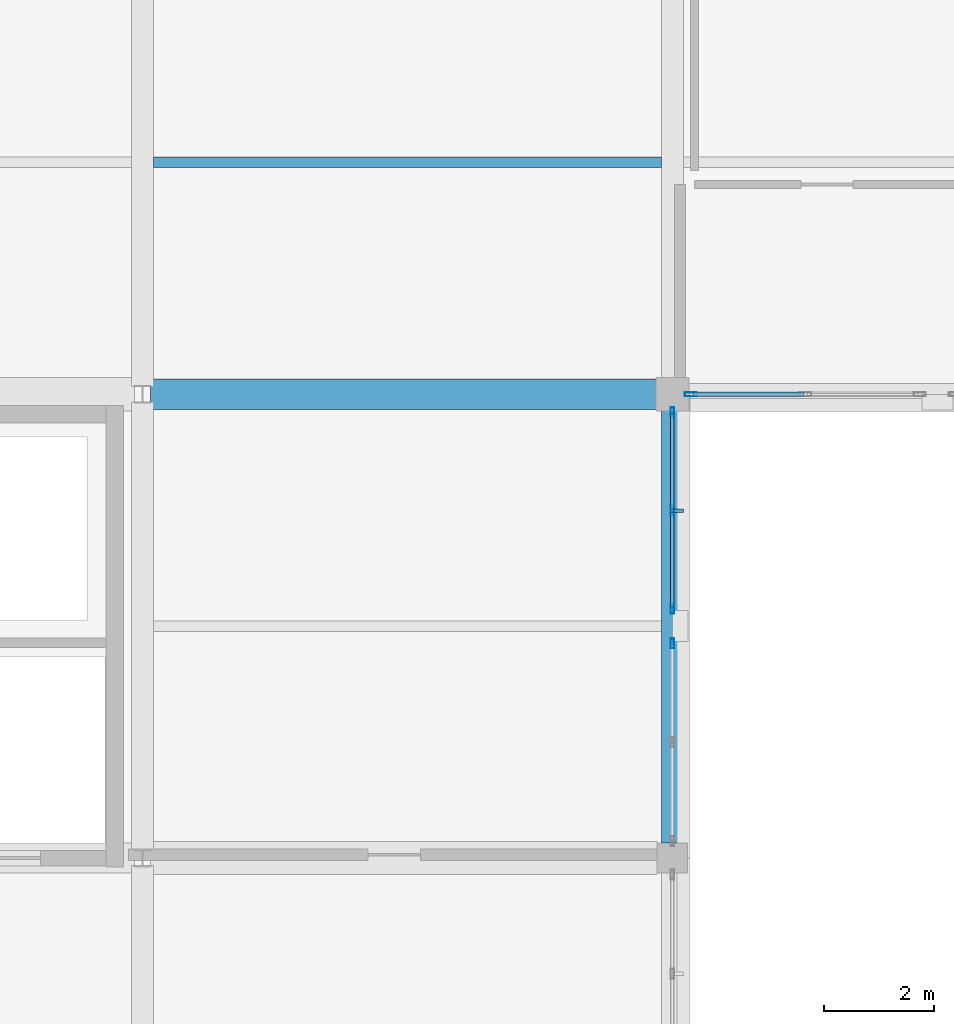
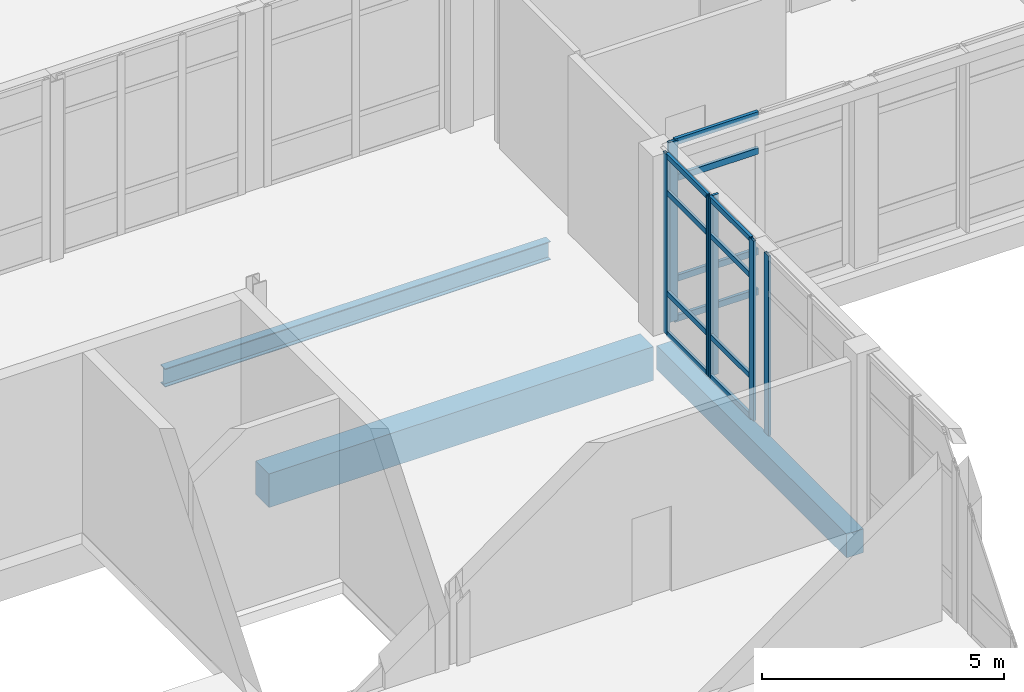
# One storey, part 17 of 88: 18 members, 3 beams, 3 elements without a shape of their own.
"""IFC4 building model written with IfcOpenShell, lengths in metres."""

from ifc_helpers import new_model, si_unit, direction, frame, origin, origin_2d, place, context, subcontext, project, spatial, rectangle, hollow_rectangle, i_section, extrude, material, layer, layer_set, material_profile, profile_set, type_object, element, aggregate, save


model = new_model("IFC4")

# Units and contexts
model_context = context("Model", 3, precision=1e-05, world=origin(), true_north=direction((0.0, 1.0)))
body_context = subcontext(model_context, "Body", "Model", "MODEL_VIEW")
ifc_project = project(units=[si_unit("LENGTHUNIT", "METRE"), si_unit("AREAUNIT", "SQUARE_METRE"), si_unit("VOLUMEUNIT", "CUBIC_METRE"), si_unit("PLANEANGLEUNIT", "RADIAN"), si_unit("MASSUNIT", "GRAM", prefix="KILO")], contexts=[model_context])

# Site, building, storey
site_placement = place(None, origin())
site = spatial("IfcSite", under=ifc_project, at=site_placement, CompositionType="ELEMENT")
building_placement = place(site_placement, origin())
building = spatial("IfcBuilding", under=site, at=building_placement, Name="Lornevale Opera House", CompositionType="ELEMENT")
storey_placement = place(building_placement, frame((0.0, 0.0, 10.199951171875)))
storey = spatial("IfcBuildingStorey", under=building, at=storey_placement, Name="L03", CompositionType="ELEMENT", Elevation=10.199951171875)

# Beams
ifc_material_1 = material(Name="Concrete 35 MPa (CSA A23.1 N)", Category="concrete")
ifc_material_profile_1 = material_profile(ifc_material_1, rectangle(XDim=0.550048828125, YDim=0.85009765625, at=origin_2d()), Name="RC550x850")
ifc_profile_set_1 = profile_set([ifc_material_profile_1], Name="Concrete 35 MPa (CSA A23.1 N)")
beam_type_1 = type_object("IfcBeamType", Name="Concrete Primary Girder 550x850", PredefinedType="USERDEFINED", material=ifc_profile_set_1)
beam_1_placement = place(storey_placement, frame((28.947021484375, 16.800048828125, -0.704833984375), z_axis=(1.0, 0.0, 0.0), x_axis=(0.0, 1.0, 0.0)))
element("IfcBeam", 1, at=beam_1_placement, inside=storey, type_object=beam_type_1, Name="Concrete Primary Girder 550x850 2094", ObjectType="GIRDER", PredefinedType="USERDEFINED", context=body_context, shape_type="SweptSolid", body=[
    extrude(rectangle(XDim=0.550048828125, YDim=0.85009765625, at=origin_2d()), origin(), (0.0, 0.0, 1.0), 9.177978515625),
])
ifc_material_profile_2 = material_profile(ifc_material_1, rectangle(XDim=0.39990234375, YDim=0.60009765625, at=origin_2d()), Name="RC400x600")
ifc_profile_set_2 = profile_set([ifc_material_profile_2], Name="Concrete 35 MPa (CSA A23.1 N)")
beam_type_2 = type_object("IfcBeamType", Name="Concrete Spandrel Beam 400x600", PredefinedType="SPANDREL", material=ifc_profile_set_2)
beam_2_placement = place(storey_placement, frame((38.39990234375, 8.675048828125, -0.579833984375), z_axis=(0.0, 1.0, 0.0), x_axis=(-1.0, 0.0, 0.0)))
element("IfcBeam", 2, at=beam_2_placement, inside=storey, type_object=beam_type_2, Name="Concrete Spandrel Beam 400x600 2258", PredefinedType="SPANDREL", context=body_context, shape_type="SweptSolid", body=[
    extrude(rectangle(XDim=0.39990234375, YDim=0.60009765625, at=origin_2d()), origin(), (0.0, 0.0, 1.0), 7.849853515625),
])

# Curtain wall, members
ifc_material_2 = material(Name="Anodized Oxide-Green Aluminium Framing", Category="aluminium")
ifc_layer_1 = layer(ifc_material_2, 0.175048828125)
ifc_layer_set_1 = layer_set([ifc_layer_1], Name="Anodized Oxide-Green Aluminium Framing")
curtain_wall_type_1 = type_object("IfcCurtainWallType", Name="Chamber Cloister Curtain Wall M1700", PredefinedType="NOTDEFINED", material=ifc_layer_set_1)
curtain_wall_1_placement = place(storey_placement, origin())
curtain_wall_1 = element("IfcCurtainWall", 3, at=curtain_wall_1_placement, inside=storey, type_object=curtain_wall_type_1, Name="Chamber Cloister Curtain Wall M1700 CW-120", PredefinedType="NOTDEFINED")
ifc_material_profile_3 = material_profile(ifc_material_2, hollow_rectangle(XDim=0.06494140625, YDim=0.179931640625, WallThickness=0.0048828125, at=origin_2d()), Name="ALU65x180x5")
ifc_profile_set_3 = profile_set([ifc_material_profile_3], Name="Anodized Oxide-Green Aluminium Framing")
member_type_1 = type_object("IfcMemberType", Name="Curtain Wall Mullion 65x180", PredefinedType="MULLION", material=ifc_profile_set_3)
member_1_placement = place(storey_placement, frame((38.39990234375, 16.471435546875, 0.0), z_axis=(0.0, 0.0, 1.0), x_axis=(1.0, 0.0, 0.0)))
member_1 = element("IfcMember", 4, at=member_1_placement, type_object=member_type_1, Name="Curtain Wall Mullion 65x180 CW2496", PredefinedType="MULLION", context=body_context, shape_type="SweptSolid", body=[
    extrude(hollow_rectangle(XDim=0.06494140625, YDim=0.179931640625, WallThickness=0.0048828125, at=origin_2d()), origin(), (0.0, 0.0, 1.0), 4.5400390625),
])
member_2_placement = place(storey_placement, frame((38.39990234375, 14.69189453125, 0.0), z_axis=(0.0, 0.0, 1.0), x_axis=(1.0, 0.0, 0.0)))
member_2 = element("IfcMember", 5, at=member_2_placement, type_object=member_type_1, Name="Curtain Wall Mullion 65x180 CW2497", PredefinedType="MULLION", context=body_context, shape_type="SweptSolid", body=[
    extrude(hollow_rectangle(XDim=0.06494140625, YDim=0.179931640625, WallThickness=0.0048828125, at=origin_2d()), origin(), (0.0, 0.0, 1.0), 4.5400390625),
])
member_3_placement = place(storey_placement, frame((38.39990234375, 12.91259765625, 0.0), z_axis=(0.0, 0.0, 1.0), x_axis=(1.0, 0.0, 0.0)))
member_3 = element("IfcMember", 6, at=member_3_placement, type_object=member_type_1, Name="Curtain Wall Mullion 65x180 CW2498", PredefinedType="MULLION", context=body_context, shape_type="SweptSolid", body=[
    extrude(hollow_rectangle(XDim=0.06494140625, YDim=0.179931640625, WallThickness=0.0048828125, at=origin_2d()), origin(), (0.0, 0.0, 1.0), 4.5400390625),
])

# Curtain wall, member
curtain_wall_2_placement = place(storey_placement, origin())
curtain_wall_2 = element("IfcCurtainWall", 7, at=curtain_wall_2_placement, inside=storey, type_object=curtain_wall_type_1, Name="Chamber Cloister Curtain Wall M1700 CW-121", PredefinedType="NOTDEFINED")
member_4_placement = place(storey_placement, frame((38.39990234375, 12.28759765625, 0.0), z_axis=(0.0, 0.0, 1.0), x_axis=(1.0, 0.0, 0.0)))
member_4 = element("IfcMember", 8, at=member_4_placement, type_object=member_type_1, Name="Curtain Wall Mullion 65x180 CW2513", PredefinedType="MULLION", context=body_context, shape_type="SweptSolid", body=[
    extrude(hollow_rectangle(XDim=0.06494140625, YDim=0.179931640625, WallThickness=0.0048828125, at=origin_2d()), origin(), (0.0, 0.0, 1.0), 4.5400390625),
])
aggregate(curtain_wall_2, [member_4])

ifc_layer_2 = layer(ifc_material_2, 0.219970703125)
ifc_layer_set_2 = layer_set([ifc_layer_2], Name="Anodized Oxide-Green Aluminium Framing")
curtain_wall_type_2 = type_object("IfcCurtainWallType", Name="Winter-Garden Curtain Wall M1900", PredefinedType="NOTDEFINED", material=ifc_layer_set_2)
curtain_wall_3_placement = place(storey_placement, origin())
curtain_wall_3 = element("IfcCurtainWall", 9, at=curtain_wall_3_placement, inside=storey, type_object=curtain_wall_type_2, Name="Winter-Garden Curtain Wall M1900 CW-131", PredefinedType="NOTDEFINED")
ifc_material_profile_4 = material_profile(ifc_material_2, hollow_rectangle(XDim=0.074951171875, YDim=0.219970703125, WallThickness=0.0048828125, at=origin_2d()), Name="ALU75x220x5")
ifc_profile_set_4 = profile_set([ifc_material_profile_4], Name="Anodized Oxide-Green Aluminium Framing")
member_type_2 = type_object("IfcMemberType", Name="Curtain Wall Mullion 75x220", PredefinedType="MULLION", material=ifc_profile_set_4)
member_5_placement = place(storey_placement, frame((38.7333984375, 16.800048828125, 0.0), z_axis=(0.0, 0.0, 1.0), x_axis=(0.0, -1.0, 0.0)))
member_5 = element("IfcMember", 10, at=member_5_placement, type_object=member_type_2, Name="Curtain Wall Mullion 75x220 CW2709", PredefinedType="MULLION", context=body_context, shape_type="SweptSolid", body=[
    extrude(hollow_rectangle(XDim=0.074951171875, YDim=0.219970703125, WallThickness=0.0048828125, at=origin_2d()), origin(), (0.0, 0.0, 1.0), 4.5400390625),
])

# Member
ifc_material_profile_5 = material_profile(ifc_material_2, hollow_rectangle(XDim=0.06494140625, YDim=0.135009765625, WallThickness=0.00390625, at=origin_2d()), Name="ALU65x135x4")
ifc_profile_set_5 = profile_set([ifc_material_profile_5], Name="Anodized Oxide-Green Aluminium Framing")
member_type_3 = type_object("IfcMemberType", Name="Curtain Wall Transom 65x135", PredefinedType="USERDEFINED", material=ifc_profile_set_5)
member_6_placement = place(storey_placement, frame((38.39990234375, 16.43896484375, 0.032470703125), z_axis=(0.0, -1.0, 0.0), x_axis=(1.0, 0.0, 0.0)))
member_6 = element("IfcMember", 11, at=member_6_placement, type_object=member_type_3, Name="Curtain Wall Transom 65x135 CW2499", ObjectType="TRANSOM", PredefinedType="USERDEFINED", context=body_context, shape_type="SweptSolid", body=[
    extrude(hollow_rectangle(XDim=0.06494140625, YDim=0.135009765625, WallThickness=0.00390625, at=origin_2d()), origin(), (0.0, 0.0, 1.0), 1.71435546875),
])

member_7_placement = place(storey_placement, frame((38.39990234375, 16.43896484375, 1.050048828125), z_axis=(0.0, -1.0, 0.0), x_axis=(1.0, 0.0, 0.0)))
member_7 = element("IfcMember", 12, at=member_7_placement, type_object=member_type_3, Name="Curtain Wall Transom 65x135 CW2500", ObjectType="TRANSOM", PredefinedType="USERDEFINED", context=body_context, shape_type="SweptSolid", body=[
    extrude(hollow_rectangle(XDim=0.06494140625, YDim=0.135009765625, WallThickness=0.00390625, at=origin_2d()), origin(), (0.0, 0.0, 1.0), 1.71435546875),
])

member_8_placement = place(storey_placement, frame((38.39990234375, 16.43896484375, 3.590087890625), z_axis=(0.0, -1.0, 0.0), x_axis=(1.0, 0.0, 0.0)))
member_8 = element("IfcMember", 13, at=member_8_placement, type_object=member_type_3, Name="Curtain Wall Transom 65x135 CW2501", ObjectType="TRANSOM", PredefinedType="USERDEFINED", context=body_context, shape_type="SweptSolid", body=[
    extrude(hollow_rectangle(XDim=0.06494140625, YDim=0.135009765625, WallThickness=0.00390625, at=origin_2d()), origin(), (0.0, 0.0, 1.0), 1.71435546875),
])

member_9_placement = place(storey_placement, frame((38.39990234375, 16.43896484375, 4.507568359375), z_axis=(0.0, -1.0, 0.0), x_axis=(1.0, 0.0, 0.0)))
member_9 = element("IfcMember", 14, at=member_9_placement, type_object=member_type_3, Name="Curtain Wall Transom 65x135 CW2502", ObjectType="TRANSOM", PredefinedType="USERDEFINED", context=body_context, shape_type="SweptSolid", body=[
    extrude(hollow_rectangle(XDim=0.06494140625, YDim=0.135009765625, WallThickness=0.00390625, at=origin_2d()), origin(), (0.0, 0.0, 1.0), 1.71435546875),
])

member_10_placement = place(storey_placement, frame((38.39990234375, 14.659423828125, 0.032470703125), z_axis=(0.0, -1.0, 0.0), x_axis=(1.0, 0.0, 0.0)))
member_10 = element("IfcMember", 15, at=member_10_placement, type_object=member_type_3, Name="Curtain Wall Transom 65x135 CW2506", ObjectType="TRANSOM", PredefinedType="USERDEFINED", context=body_context, shape_type="SweptSolid", body=[
    extrude(hollow_rectangle(XDim=0.06494140625, YDim=0.135009765625, WallThickness=0.00390625, at=origin_2d()), origin(), (0.0, 0.0, 1.0), 1.71435546875),
])

member_11_placement = place(storey_placement, frame((38.39990234375, 14.659423828125, 1.050048828125), z_axis=(0.0, -1.0, 0.0), x_axis=(1.0, 0.0, 0.0)))
member_11 = element("IfcMember", 16, at=member_11_placement, type_object=member_type_3, Name="Curtain Wall Transom 65x135 CW2507", ObjectType="TRANSOM", PredefinedType="USERDEFINED", context=body_context, shape_type="SweptSolid", body=[
    extrude(hollow_rectangle(XDim=0.06494140625, YDim=0.135009765625, WallThickness=0.00390625, at=origin_2d()), origin(), (0.0, 0.0, 1.0), 1.71435546875),
])

member_12_placement = place(storey_placement, frame((38.39990234375, 14.659423828125, 3.590087890625), z_axis=(0.0, -1.0, 0.0), x_axis=(1.0, 0.0, 0.0)))
member_12 = element("IfcMember", 17, at=member_12_placement, type_object=member_type_3, Name="Curtain Wall Transom 65x135 CW2508", ObjectType="TRANSOM", PredefinedType="USERDEFINED", context=body_context, shape_type="SweptSolid", body=[
    extrude(hollow_rectangle(XDim=0.06494140625, YDim=0.135009765625, WallThickness=0.00390625, at=origin_2d()), origin(), (0.0, 0.0, 1.0), 1.71435546875),
])

member_13_placement = place(storey_placement, frame((38.39990234375, 14.659423828125, 4.507568359375), z_axis=(0.0, -1.0, 0.0), x_axis=(1.0, 0.0, 0.0)))
member_13 = element("IfcMember", 18, at=member_13_placement, type_object=member_type_3, Name="Curtain Wall Transom 65x135 CW2509", ObjectType="TRANSOM", PredefinedType="USERDEFINED", context=body_context, shape_type="SweptSolid", body=[
    extrude(hollow_rectangle(XDim=0.06494140625, YDim=0.135009765625, WallThickness=0.00390625, at=origin_2d()), origin(), (0.0, 0.0, 1.0), 1.71435546875),
])

ifc_material_profile_6 = material_profile(ifc_material_2, hollow_rectangle(XDim=0.074951171875, YDim=0.159912109375, WallThickness=0.0048828125, at=origin_2d()), Name="ALU75x160x5")
ifc_profile_set_6 = profile_set([ifc_material_profile_6], Name="Anodized Oxide-Green Aluminium Framing")
member_type_4 = type_object("IfcMemberType", Name="Curtain Wall Transom 75x160", PredefinedType="USERDEFINED", material=ifc_profile_set_6)
member_14_placement = place(storey_placement, frame((40.7705078125, 16.800048828125, 0.03759765625), z_axis=(-1.0, 0.0, 0.0), x_axis=(0.0, -1.0, 0.0)))
member_14 = element("IfcMember", 19, at=member_14_placement, type_object=member_type_4, Name="Curtain Wall Transom 75x160 CW2717", ObjectType="TRANSOM", PredefinedType="USERDEFINED", context=body_context, shape_type="SweptSolid", body=[
    extrude(hollow_rectangle(XDim=0.074951171875, YDim=0.159912109375, WallThickness=0.0048828125, at=origin_2d()), origin(), (0.0, 0.0, 1.0), 1.99951171875),
])

member_15_placement = place(storey_placement, frame((40.7705078125, 16.800048828125, 1.050048828125), z_axis=(-1.0, 0.0, 0.0), x_axis=(0.0, -1.0, 0.0)))
member_15 = element("IfcMember", 20, at=member_15_placement, type_object=member_type_4, Name="Curtain Wall Transom 75x160 CW2718", ObjectType="TRANSOM", PredefinedType="USERDEFINED", context=body_context, shape_type="SweptSolid", body=[
    extrude(hollow_rectangle(XDim=0.074951171875, YDim=0.159912109375, WallThickness=0.0048828125, at=origin_2d()), origin(), (0.0, 0.0, 1.0), 1.99951171875),
])

member_16_placement = place(storey_placement, frame((40.7705078125, 16.800048828125, 3.590087890625), z_axis=(-1.0, 0.0, 0.0), x_axis=(0.0, -1.0, 0.0)))
member_16 = element("IfcMember", 21, at=member_16_placement, type_object=member_type_4, Name="Curtain Wall Transom 75x160 CW2719", ObjectType="TRANSOM", PredefinedType="USERDEFINED", context=body_context, shape_type="SweptSolid", body=[
    extrude(hollow_rectangle(XDim=0.074951171875, YDim=0.159912109375, WallThickness=0.0048828125, at=origin_2d()), origin(), (0.0, 0.0, 1.0), 1.99951171875),
])

member_17_placement = place(storey_placement, frame((40.7705078125, 16.800048828125, 4.50244140625), z_axis=(-1.0, 0.0, 0.0), x_axis=(0.0, -1.0, 0.0)))
member_17 = element("IfcMember", 22, at=member_17_placement, type_object=member_type_4, Name="Curtain Wall Transom 75x160 CW2720", ObjectType="TRANSOM", PredefinedType="USERDEFINED", context=body_context, shape_type="SweptSolid", body=[
    extrude(hollow_rectangle(XDim=0.074951171875, YDim=0.159912109375, WallThickness=0.0048828125, at=origin_2d()), origin(), (0.0, 0.0, 1.0), 1.99951171875),
])

aggregate(curtain_wall_3, [member_5, member_14, member_15, member_16, member_17])

ifc_material_3 = material(Name="Architectural Bronze Solar Louvre Alloy", Category="metal")
ifc_material_profile_7 = material_profile(ifc_material_3, rectangle(XDim=0.06005859375, YDim=0.239990234375, at=origin_2d()), Name="FIN60x240")
ifc_profile_set_7 = profile_set([ifc_material_profile_7], Name="Architectural Bronze Solar Louvre Alloy")
member_type_5 = type_object("IfcMemberType", Name="Solar Shading Fin 60x240", PredefinedType="USERDEFINED", material=ifc_profile_set_7)
member_18_placement = place(storey_placement, frame((38.48388671875, 14.69189453125, 0.0), z_axis=(0.0, 0.0, 1.0), x_axis=(0.0, -1.0, 0.0)))
member_18 = element("IfcMember", 23, at=member_18_placement, type_object=member_type_5, Name="Solar Shading Fin 60x240 FIN0049", ObjectType="SOLAR FIN", PredefinedType="USERDEFINED", context=body_context, shape_type="SweptSolid", body=[
    extrude(rectangle(XDim=0.06005859375, YDim=0.239990234375, at=origin_2d()), origin(), (0.0, 0.0, 1.0), 4.5400390625),
])

aggregate(curtain_wall_1, [member_1, member_2, member_3, member_6, member_7, member_8, member_9, member_10, member_11, member_12, member_13, member_18])

# Beam
ifc_material_4 = material(Name="Structural Steel CSA G40.21 Grade 350W (350 MPa)", Category="steel")
ifc_material_profile_8 = material_profile(ifc_material_4, i_section(OverallWidth=0.19189453125, OverallDepth=0.462890625, WebThickness=0.010498046875, FlangeThickness=0.017578125, at=origin_2d()), Name="W460x89")
ifc_profile_set_8 = profile_set([ifc_material_profile_8], Name="Structural Steel CSA G40.21 Grade 350W (350 MPa)")
beam_type_3 = type_object("IfcBeamType", Name="Steel Floor Joist W460x89", PredefinedType="JOIST", material=ifc_profile_set_8)
beam_3_placement = place(storey_placement, frame((29.0, 21.0, -0.536376953125), z_axis=(1.0, 0.0, 0.0), x_axis=(0.0, 1.0, 0.0)))
element("IfcBeam", 24, at=beam_3_placement, inside=storey, type_object=beam_type_3, Name="Steel Floor Joist W460x89 2379", PredefinedType="JOIST", context=body_context, shape_type="SweptSolid", body=[
    extrude(i_section(OverallWidth=0.19189453125, OverallDepth=0.462890625, WebThickness=0.010498046875, FlangeThickness=0.017578125, at=origin_2d()), origin(), (0.0, 0.0, 1.0), 9.199951171875),
])

save(model, "model.ifc")
